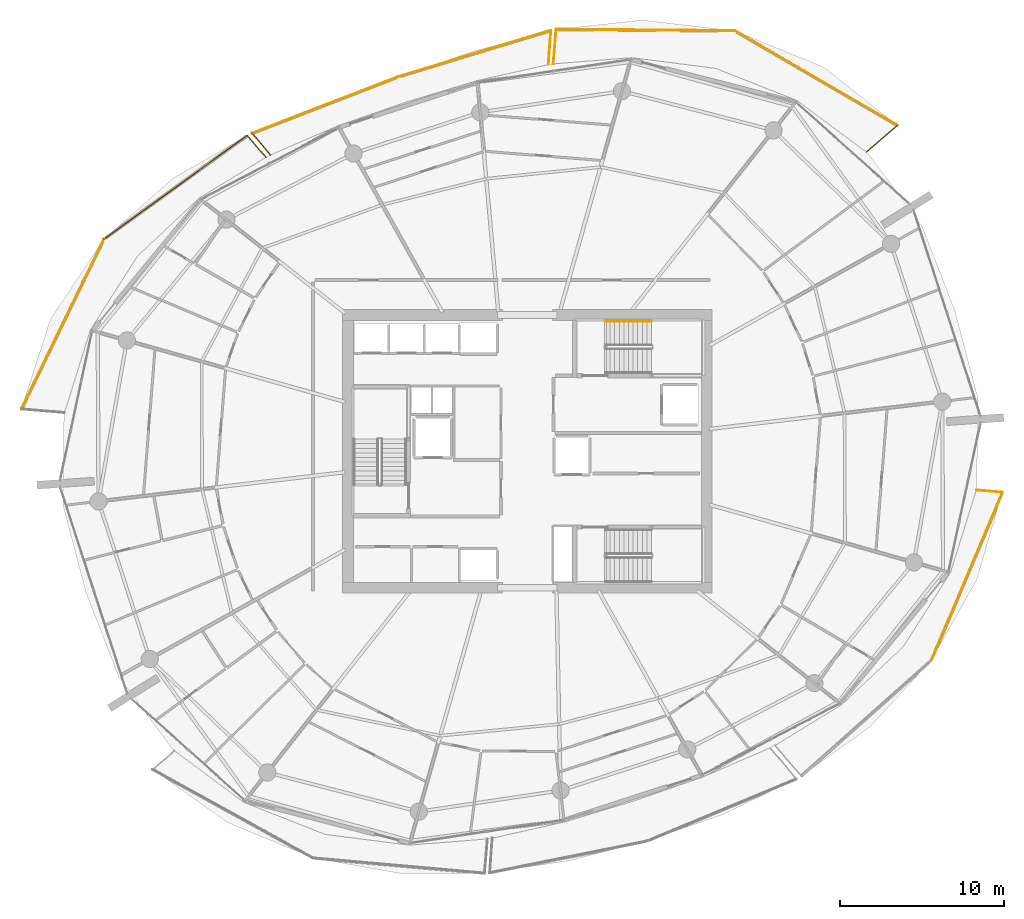
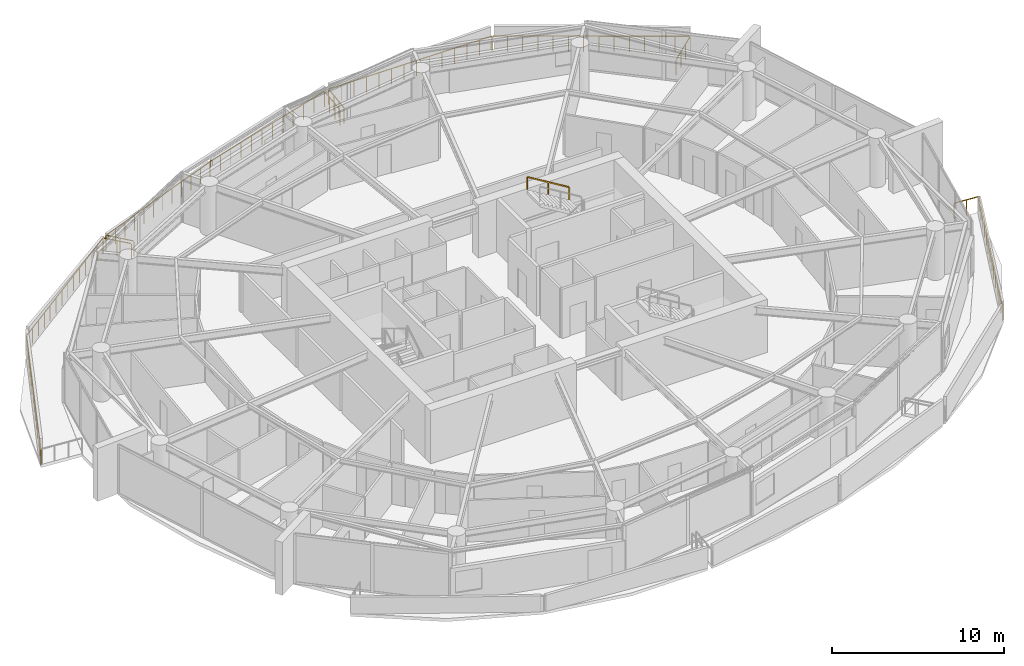
# One storey, part 21 of 21: 14 railings.
"""IFC4 building model written with IfcOpenShell, lengths in metres."""

import ifcopenshell
import ifcopenshell.guid

model = None  # the IFC model being written
_history = None  # IfcOwnerHistory: only IFC2X3 demands one
_inside = {}  # id of a spatial element -> (the spatial element, [elements in it])
_under = {}  # id of a project, library or spatial element -> (it, [spatial elements below it])
_declared = {}  # id of a project -> (the project, [libraries it declares])
_typed = {}  # id of a type object -> (the type object, [elements of that type])
_made_of = {}  # id of a material, layer set ... -> (it, [elements and type objects made of it])


def new_model(schema):
    """Start an empty IFC model of exactly this schema.

    Asked for "IFC4X3", IfcOpenShell would pick the latest addendum, in which some entities
    have other attributes; the version numbers below select the first issue.
    IFC2X3 requires an IfcOwnerHistory on every rooted entity: one is made here for all.
    """
    global model, _history
    if schema == "IFC4X3":
        model = ifcopenshell.file(schema_version=(4, 3, 0, 0))
    else:
        model = ifcopenshell.file(schema=schema)
    _inside.clear()
    _under.clear()
    _declared.clear()
    _typed.clear()
    _made_of.clear()
    _history = None
    if model.schema == "IFC2X3":
        org = make("IfcOrganization", Name="unknown")
        user = make(
            "IfcPersonAndOrganization",
            ThePerson=make("IfcPerson", FamilyName="unknown"),
            TheOrganization=org,
        )
        app = make(
            "IfcApplication",
            ApplicationDeveloper=org,
            Version="unknown",
            ApplicationFullName="unknown",
            ApplicationIdentifier="unknown",
        )
        _history = make(
            "IfcOwnerHistory",
            OwningUser=user,
            OwningApplication=app,
            ChangeAction="ADDED",
            CreationDate=0,
        )
    return model


def make(cls, **values):
    """One entity of the class cls with the attributes given. An attribute that is None is left unset."""
    return model.create_entity(
        cls, **{name: value for name, value in values.items() if value is not None}
    )


def rooted(cls, **values):
    """An entity with a GlobalId (a new one), such as an element, a storey or a relation."""
    return make(cls, GlobalId=ifcopenshell.guid.new(), OwnerHistory=_history, **values)


def si_unit(unit_type, name, prefix=None):
    """IfcSIUnit, for example si_unit("LENGTHUNIT", "METRE", prefix="MILLI")."""
    return make("IfcSIUnit", UnitType=unit_type, Prefix=prefix, Name=name)


def assignment(units):
    """IfcUnitAssignment: the units of a project."""
    return None if units is None else make("IfcUnitAssignment", Units=units)


def point(xyz):
    """IfcCartesianPoint."""
    return None if xyz is None else make("IfcCartesianPoint", Coordinates=xyz)


def direction(xyz):
    """IfcDirection."""
    return None if xyz is None else make("IfcDirection", DirectionRatios=xyz)


def frame(location, z_axis=None, x_axis=None):
    """IfcAxis2Placement3D, a coordinate frame: its origin and axes. An axis left out is left unset."""
    return make(
        "IfcAxis2Placement3D",
        Location=point(location),
        Axis=direction(z_axis),
        RefDirection=direction(x_axis),
    )


def frame_2d(location, x_axis=None):
    """IfcAxis2Placement2D, a coordinate frame in the plane: its origin and x axis."""
    return make(
        "IfcAxis2Placement2D", Location=point(location), RefDirection=direction(x_axis)
    )


def origin():
    """The frame at (0, 0, 0) with its axes left unset."""
    return frame((0.0, 0.0, 0.0))


def origin_2d():
    """The frame at (0, 0) in the plane with its x axis left unset."""
    return frame_2d((0.0, 0.0))


def place(relative_to, where):
    """IfcLocalPlacement: puts the frame where relative to a parent placement (None: the world)."""
    return make(
        "IfcLocalPlacement", PlacementRelTo=relative_to, RelativePlacement=where
    )


def context(
    kind, dimensions, precision=None, world=None, true_north=None, identifier=None
):
    """IfcGeometricRepresentationContext, for example the 3D "Model" context."""
    return make(
        "IfcGeometricRepresentationContext",
        ContextIdentifier=identifier,
        ContextType=kind,
        CoordinateSpaceDimension=dimensions,
        Precision=precision,
        WorldCoordinateSystem=world,
        TrueNorth=true_north,
    )


def subcontext(parent, identifier, kind, view, scale=None):
    """IfcGeometricRepresentationSubContext, for example "Body" below "Model"."""
    return make(
        "IfcGeometricRepresentationSubContext",
        ContextIdentifier=identifier,
        ContextType=kind,
        ParentContext=parent,
        TargetScale=scale,
        TargetView=view,
    )


def project(units=None, contexts=None):
    """IfcProject with its units and contexts."""
    return rooted(
        "IfcProject",
        Name="project",
        RepresentationContexts=contexts,
        UnitsInContext=assignment(units),
    )


def spatial(cls, under=None, at=None, **own):
    """A site, building, storey or space (cls), placed at a placement, below another one or the project."""
    s = rooted(cls, ObjectPlacement=at, **own)
    if under is not None:
        _under.setdefault(under.id(), (under, []))[1].append(s)
    return s


def profile(cls, at=None, kind="AREA", **sizes):
    """A parametric profile (cls). Its sizes go by their IFC names, for example OverallWidth=200.0."""
    return make(cls, ProfileType=kind, Position=at, **sizes)


def rectangle(**sizes):
    """IfcRectangleProfileDef."""
    return profile("IfcRectangleProfileDef", **sizes)


def extrude(swept, where, along, depth):
    """IfcExtrudedAreaSolid: the profile swept, set in the frame where, extruded along a direction by depth."""
    return make(
        "IfcExtrudedAreaSolid",
        SweptArea=swept,
        Position=where,
        ExtrudedDirection=direction(along),
        Depth=depth,
    )


def shape(context_of_items, identifier, shape_type, items):
    """IfcShapeRepresentation: the items that make up one representation, for example the "Body"."""
    return make(
        "IfcShapeRepresentation",
        ContextOfItems=context_of_items,
        RepresentationIdentifier=identifier,
        RepresentationType=shape_type,
        Items=items,
    )


def material(Name=None, Category=None):
    """IfcMaterial."""
    return make("IfcMaterial", Name=Name, Category=Category)


def made_of(thing, what):
    """Note that an element or type object is made of a material, layer set ...; save() writes the relation."""
    if what is not None:
        _made_of.setdefault(what.id(), (what, []))[1].append(thing)
    return thing


def type_object(cls, material=None, **own):
    """A type object (cls), such as IfcWallType, which elements share."""
    return made_of(rooted(cls, **own), material)


def element(
    cls,
    number,
    at=None,
    inside=None,
    cuts=None,
    type_object=None,
    material=None,
    context=None,
    identifier="Body",
    shape_type=None,
    held_by="IfcProductDefinitionShape",
    body=None,
    shapes=None,
    **own,
):
    """One element of the class cls, such as IfcWall. Its Tag is "e" and its number.

    at: its placement. inside: the storey or other place that contains it. cuts: it is an
    opening in that element (IfcRelVoidsElement). A single representation is given by context,
    identifier, shape_type and body (its items); several are given by shapes. held_by: the class
    of the entity that holds the representations. save() writes the other relations.
    """
    e = rooted(cls, Tag="e%d" % number, ObjectPlacement=at, **own)
    if body is not None:
        shapes = [shape(context, identifier, shape_type, body)]
    if shapes is not None:
        e.Representation = make(held_by, Representations=shapes)
    if inside is not None:
        _inside.setdefault(inside.id(), (inside, []))[1].append(e)
    if cuts is not None:
        rooted(
            "IfcRelVoidsElement", RelatingBuildingElement=cuts, RelatedOpeningElement=e
        )
    if type_object is not None:
        _typed.setdefault(type_object.id(), (type_object, []))[1].append(e)
    return made_of(e, material)


def aggregate(whole, parts):
    """IfcRelAggregates: a whole, such as a stair, and the parts it consists of."""
    return rooted("IfcRelAggregates", RelatingObject=whole, RelatedObjects=parts)


def save(model, path):
    """Write the relations noted so far, then the file.

    IfcRelAggregates (storeys below a building ...), IfcRelContainedInSpatialStructure (elements
    in a storey), IfcRelDefinesByType, IfcRelAssociatesMaterial and IfcRelDeclares: one each for
    every whole, place, type object, material and project.
    """
    for whole, parts in _under.values():
        aggregate(whole, parts)
    for where, things in _inside.values():
        rooted(
            "IfcRelContainedInSpatialStructure",
            RelatedElements=things,
            RelatingStructure=where,
        )
    for kind, things in _typed.values():
        rooted("IfcRelDefinesByType", RelatedObjects=things, RelatingType=kind)
    for what, things in _made_of.values():
        rooted("IfcRelAssociatesMaterial", RelatedObjects=things, RelatingMaterial=what)
    for by, libraries in _declared.values():
        rooted("IfcRelDeclares", RelatingContext=by, RelatedDefinitions=libraries)
    model.write(path)


model = new_model("IFC4")

# Units and contexts
model_context = context("Model", 3, precision=1e-05, world=origin(), true_north=direction((0.0, 1.0)))
body_context = subcontext(model_context, "Body", "Model", "MODEL_VIEW")
ifc_project = project(units=[si_unit("LENGTHUNIT", "METRE"), si_unit("AREAUNIT", "SQUARE_METRE"), si_unit("VOLUMEUNIT", "CUBIC_METRE"), si_unit("PLANEANGLEUNIT", "RADIAN"), si_unit("MASSUNIT", "GRAM", prefix="KILO")], contexts=[model_context])

# Site, building, storey
site_placement = place(None, origin())
site = spatial("IfcSite", under=ifc_project, at=site_placement, CompositionType="ELEMENT")
building_placement = place(site_placement, origin())
building = spatial("IfcBuilding", under=site, at=building_placement, Name="Kazma Halo Residences", CompositionType="ELEMENT")
storey_placement = place(building_placement, frame((0.0, 0.0, 195.300048828125)))
storey = spatial("IfcBuildingStorey", under=building, at=storey_placement, Name="L49", CompositionType="ELEMENT", Elevation=195.300048828125)

# Railings
ifc_material_1 = material(Name="Aluminium AW-6063 T6 Brushed Cap Rail", Category="aluminium")
railing_type_1 = type_object("IfcRailingType", Name="RLG-BAL-CAP-1120", PredefinedType="BALUSTRADE", material=ifc_material_1)
railing_1_placement = place(storey_placement, frame((69.130126953125, 60.271240234375, 0.0)))
element("IfcRailing", 1, at=railing_1_placement, inside=storey, type_object=railing_type_1, Name="L49 NE wave balcony guard 1", PredefinedType="BALUSTRADE", context=body_context, shape_type="SweptSolid", body=[
    extrude(rectangle(XDim=0.050048828125, YDim=0.050048828125, at=origin_2d()), frame((0.0322265625, 0.02783203125, 1.09521484375), z_axis=(0.756415545654, 0.654091371517, 0.0), x_axis=(-0.654091371517, 0.756415545654, 0.0)), (0.0, 0.0, 1.0), 2.408203125),
    extrude(rectangle(XDim=0.0400390625, YDim=0.0400390625, at=origin_2d()), origin(), (0.0, 0.0, 1.0), 1.05810546875),
    extrude(rectangle(XDim=0.0400390625, YDim=0.0400390625, at=origin_2d()), frame((0.628662109375, 0.543701171875, 0.0)), (0.0, 0.0, 1.0), 1.05810546875),
    extrude(rectangle(XDim=0.0400390625, YDim=0.0400390625, at=origin_2d()), frame((1.25732421875, 1.087158203125, 0.0)), (0.0, 0.0, 1.0), 1.05810546875),
    extrude(rectangle(XDim=0.0400390625, YDim=0.0400390625, at=origin_2d()), frame((1.885986328125, 1.630859375, 0.0)), (0.0, 0.0, 1.0), 1.05810546875),
])
railing_2_placement = place(storey_placement, frame((71.01611328125, 61.902099609375, 0.0)))
element("IfcRailing", 2, at=railing_2_placement, inside=storey, type_object=railing_type_1, Name="L49 NE wave balcony guard 2", PredefinedType="BALUSTRADE", context=body_context, shape_type="SweptSolid", body=[
    extrude(rectangle(XDim=0.050048828125, YDim=0.050048828125, at=origin_2d()), frame((-0.036865234375, 0.021484375, 1.09521484375), z_axis=(-0.864394010478, 0.502815070031, 0.0), x_axis=(-0.502815070031, -0.864394010478, 0.0)), (0.0, 0.0, 1.0), 11.405029296875),
    extrude(rectangle(XDim=0.0400390625, YDim=0.0400390625, at=origin_2d()), origin(), (0.0, 0.0, 1.0), 1.05810546875),
    extrude(rectangle(XDim=0.0400390625, YDim=0.0400390625, at=origin_2d()), frame((-0.763916015625, 0.4443359375, 0.0)), (0.0, 0.0, 1.0), 1.05810546875),
    extrude(rectangle(XDim=0.0400390625, YDim=0.0400390625, at=origin_2d()), frame((-1.528076171875, 0.888916015625, 0.0)), (0.0, 0.0, 1.0), 1.05810546875),
    extrude(rectangle(XDim=0.0400390625, YDim=0.0400390625, at=origin_2d()), frame((-2.2919921875, 1.333251953125, 0.0)), (0.0, 0.0, 1.0), 1.05810546875),
    extrude(rectangle(XDim=0.0400390625, YDim=0.0400390625, at=origin_2d()), frame((-3.055908203125, 1.777587890625, 0.0)), (0.0, 0.0, 1.0), 1.05810546875),
    extrude(rectangle(XDim=0.0400390625, YDim=0.0400390625, at=origin_2d()), frame((-3.820068359375, 2.22216796875, 0.0)), (0.0, 0.0, 1.0), 1.05810546875),
    extrude(rectangle(XDim=0.0400390625, YDim=0.0400390625, at=origin_2d()), frame((-4.583984375, 2.66650390625, 0.0)), (0.0, 0.0, 1.0), 1.05810546875),
    extrude(rectangle(XDim=0.0400390625, YDim=0.0400390625, at=origin_2d()), frame((-5.347900390625, 3.11083984375, 0.0)), (0.0, 0.0, 1.0), 1.05810546875),
    extrude(rectangle(XDim=0.0400390625, YDim=0.0400390625, at=origin_2d()), frame((-6.11181640625, 3.55517578125, 0.0)), (0.0, 0.0, 1.0), 1.05810546875),
    extrude(rectangle(XDim=0.0400390625, YDim=0.0400390625, at=origin_2d()), frame((-6.8759765625, 3.999755859375, 0.0)), (0.0, 0.0, 1.0), 1.05810546875),
    extrude(rectangle(XDim=0.0400390625, YDim=0.0400390625, at=origin_2d()), frame((-7.639892578125, 4.444091796875, 0.0)), (0.0, 0.0, 1.0), 1.05810546875),
    extrude(rectangle(XDim=0.0400390625, YDim=0.0400390625, at=origin_2d()), frame((-8.40380859375, 4.888427734375, 0.0)), (0.0, 0.0, 1.0), 1.05810546875),
    extrude(rectangle(XDim=0.0400390625, YDim=0.0400390625, at=origin_2d()), frame((-9.16796875, 5.3330078125, 0.0)), (0.0, 0.0, 1.0), 1.05810546875),
    extrude(rectangle(XDim=0.0400390625, YDim=0.0400390625, at=origin_2d()), frame((-9.931884765625, 5.77734375, 0.0)), (0.0, 0.0, 1.0), 1.05810546875),
])
railing_3_placement = place(storey_placement, frame((61.084228515625, 67.679443359375, 0.0)))
element("IfcRailing", 3, at=railing_3_placement, inside=storey, type_object=railing_type_1, Name="L49 NE wave balcony guard 3", PredefinedType="BALUSTRADE", context=body_context, shape_type="SweptSolid", body=[
    extrude(rectangle(XDim=0.050048828125, YDim=0.050048828125, at=origin_2d()), frame((-0.04248046875, 0.000244140625, 1.09521484375), z_axis=(-0.999967660867, 0.008042214935, 0.0), x_axis=(-0.008042214935, -0.999967660867, 0.0)), (0.0, 0.0, 1.0), 10.813232421875),
    extrude(rectangle(XDim=0.0400390625, YDim=0.0400390625, at=origin_2d()), origin(), (0.0, 0.0, 1.0), 1.05810546875),
    extrude(rectangle(XDim=0.0400390625, YDim=0.0400390625, at=origin_2d()), frame((-0.83837890625, 0.0068359375, 0.0)), (0.0, 0.0, 1.0), 1.05810546875),
    extrude(rectangle(XDim=0.0400390625, YDim=0.0400390625, at=origin_2d()), frame((-1.676513671875, 0.013427734375, 0.0)), (0.0, 0.0, 1.0), 1.05810546875),
    extrude(rectangle(XDim=0.0400390625, YDim=0.0400390625, at=origin_2d()), frame((-2.514892578125, 0.020263671875, 0.0)), (0.0, 0.0, 1.0), 1.05810546875),
    extrude(rectangle(XDim=0.0400390625, YDim=0.0400390625, at=origin_2d()), frame((-3.353271484375, 0.02685546875, 0.0)), (0.0, 0.0, 1.0), 1.05810546875),
    extrude(rectangle(XDim=0.0400390625, YDim=0.0400390625, at=origin_2d()), frame((-4.19140625, 0.03369140625, 0.0)), (0.0, 0.0, 1.0), 1.05810546875),
    extrude(rectangle(XDim=0.0400390625, YDim=0.0400390625, at=origin_2d()), frame((-5.02978515625, 0.04052734375, 0.0)), (0.0, 0.0, 1.0), 1.05810546875),
    extrude(rectangle(XDim=0.0400390625, YDim=0.0400390625, at=origin_2d()), frame((-5.8681640625, 0.047119140625, 0.0)), (0.0, 0.0, 1.0), 1.05810546875),
    extrude(rectangle(XDim=0.0400390625, YDim=0.0400390625, at=origin_2d()), frame((-6.70654296875, 0.053955078125, 0.0)), (0.0, 0.0, 1.0), 1.05810546875),
    extrude(rectangle(XDim=0.0400390625, YDim=0.0400390625, at=origin_2d()), frame((-7.544677734375, 0.060791015625, 0.0)), (0.0, 0.0, 1.0), 1.05810546875),
    extrude(rectangle(XDim=0.0400390625, YDim=0.0400390625, at=origin_2d()), frame((-8.383056640625, 0.0673828125, 0.0)), (0.0, 0.0, 1.0), 1.05810546875),
    extrude(rectangle(XDim=0.0400390625, YDim=0.0400390625, at=origin_2d()), frame((-9.221435546875, 0.07421875, 0.0)), (0.0, 0.0, 1.0), 1.05810546875),
    extrude(rectangle(XDim=0.0400390625, YDim=0.0400390625, at=origin_2d()), frame((-10.0595703125, 0.080810546875, 0.0)), (0.0, 0.0, 1.0), 1.05810546875),
    extrude(rectangle(XDim=0.0400390625, YDim=0.0400390625, at=origin_2d()), frame((-10.89794921875, 0.087646484375, 0.0)), (0.0, 0.0, 1.0), 1.05810546875),
])
railing_4_placement = place(storey_placement, frame((50.186279296875, 67.76708984375, 0.0)))
element("IfcRailing", 4, at=railing_4_placement, inside=storey, type_object=railing_type_1, Name="L49 NE wave balcony guard 4", PredefinedType="BALUSTRADE", context=body_context, shape_type="SweptSolid", body=[
    extrude(rectangle(XDim=0.050048828125, YDim=0.050048828125, at=origin_2d()), frame((-0.003662109375, -0.04248046875, 1.09521484375), z_axis=(-0.084580756862, -0.996416627505, 0.0), x_axis=(0.996416627505, -0.084580756862, 0.0)), (0.0, 0.0, 1.0), 2.03369140625),
    extrude(rectangle(XDim=0.0400390625, YDim=0.0400390625, at=origin_2d()), origin(), (0.0, 0.0, 1.0), 1.05810546875),
    extrude(rectangle(XDim=0.0400390625, YDim=0.0400390625, at=origin_2d()), frame((-0.059814453125, -0.70361328125, 0.0)), (0.0, 0.0, 1.0), 1.05810546875),
    extrude(rectangle(XDim=0.0400390625, YDim=0.0400390625, at=origin_2d()), frame((-0.119384765625, -1.407470703125, 0.0)), (0.0, 0.0, 1.0), 1.05810546875),
    extrude(rectangle(XDim=0.0400390625, YDim=0.0400390625, at=origin_2d()), frame((-0.17919921875, -2.111083984375, 0.0)), (0.0, 0.0, 1.0), 1.05810546875),
])
railing_5_placement = place(storey_placement, frame((49.713134765625, 65.612060546875, 0.0)))
element("IfcRailing", 5, at=railing_5_placement, inside=storey, type_object=railing_type_1, Name="L49 NNW wave balcony guard 1", PredefinedType="BALUSTRADE", context=body_context, shape_type="SweptSolid", body=[
    extrude(rectangle(XDim=0.050048828125, YDim=0.050048828125, at=origin_2d()), frame((0.003173828125, 0.04248046875, 1.09521484375), z_axis=(0.072480899171, 0.997369800653, 0.0), x_axis=(-0.997369800653, 0.072480899171, 0.0)), (0.0, 0.0, 1.0), 2.010009765625),
    extrude(rectangle(XDim=0.0400390625, YDim=0.0400390625, at=origin_2d()), origin(), (0.0, 0.0, 1.0), 1.05810546875),
    extrude(rectangle(XDim=0.0400390625, YDim=0.0400390625, at=origin_2d()), frame((0.050537109375, 0.696533203125, 0.0)), (0.0, 0.0, 1.0), 1.05810546875),
    extrude(rectangle(XDim=0.0400390625, YDim=0.0400390625, at=origin_2d()), frame((0.101318359375, 1.39306640625, 0.0)), (0.0, 0.0, 1.0), 1.05810546875),
    extrude(rectangle(XDim=0.0400390625, YDim=0.0400390625, at=origin_2d()), frame((0.15185546875, 2.089599609375, 0.0)), (0.0, 0.0, 1.0), 1.05810546875),
])
railing_6_placement = place(storey_placement, frame((49.864990234375, 67.70166015625, 0.0)))
element("IfcRailing", 6, at=railing_6_placement, inside=storey, type_object=railing_type_1, Name="L49 NNW wave balcony guard 2", PredefinedType="BALUSTRADE", context=body_context, shape_type="SweptSolid", body=[
    extrude(rectangle(XDim=0.050048828125, YDim=0.050048828125, at=origin_2d()), frame((-0.040771484375, -0.012451171875, 1.09521484375), z_axis=(-0.956821324416, -0.290676715859, 0.0), x_axis=(0.290676715859, -0.956821324416, 0.0)), (0.0, 0.0, 1.0), 9.632568359375),
    extrude(rectangle(XDim=0.0400390625, YDim=0.0400390625, at=origin_2d()), origin(), (0.0, 0.0, 1.0), 1.05810546875),
    extrude(rectangle(XDim=0.0400390625, YDim=0.0400390625, at=origin_2d()), frame((-0.84521484375, -0.2568359375, 0.0)), (0.0, 0.0, 1.0), 1.05810546875),
    extrude(rectangle(XDim=0.0400390625, YDim=0.0400390625, at=origin_2d()), frame((-1.690673828125, -0.513671875, 0.0)), (0.0, 0.0, 1.0), 1.05810546875),
    extrude(rectangle(XDim=0.0400390625, YDim=0.0400390625, at=origin_2d()), frame((-2.535888671875, -0.770263671875, 0.0)), (0.0, 0.0, 1.0), 1.05810546875),
    extrude(rectangle(XDim=0.0400390625, YDim=0.0400390625, at=origin_2d()), frame((-3.381103515625, -1.027099609375, 0.0)), (0.0, 0.0, 1.0), 1.05810546875),
    extrude(rectangle(XDim=0.0400390625, YDim=0.0400390625, at=origin_2d()), frame((-4.226318359375, -1.283935546875, 0.0)), (0.0, 0.0, 1.0), 1.05810546875),
    extrude(rectangle(XDim=0.0400390625, YDim=0.0400390625, at=origin_2d()), frame((-5.07177734375, -1.540771484375, 0.0)), (0.0, 0.0, 1.0), 1.05810546875),
    extrude(rectangle(XDim=0.0400390625, YDim=0.0400390625, at=origin_2d()), frame((-5.9169921875, -1.797607421875, 0.0)), (0.0, 0.0, 1.0), 1.05810546875),
    extrude(rectangle(XDim=0.0400390625, YDim=0.0400390625, at=origin_2d()), frame((-6.76220703125, -2.054443359375, 0.0)), (0.0, 0.0, 1.0), 1.05810546875),
    extrude(rectangle(XDim=0.0400390625, YDim=0.0400390625, at=origin_2d()), frame((-7.607421875, -2.31103515625, 0.0)), (0.0, 0.0, 1.0), 1.05810546875),
    extrude(rectangle(XDim=0.0400390625, YDim=0.0400390625, at=origin_2d()), frame((-8.452880859375, -2.56787109375, 0.0)), (0.0, 0.0, 1.0), 1.05810546875),
    extrude(rectangle(XDim=0.0400390625, YDim=0.0400390625, at=origin_2d()), frame((-9.298095703125, -2.82470703125, 0.0)), (0.0, 0.0, 1.0), 1.05810546875),
])
railing_7_placement = place(storey_placement, frame((40.56689453125, 64.876953125, 0.0)))
element("IfcRailing", 7, at=railing_7_placement, inside=storey, type_object=railing_type_1, Name="L49 NNW wave balcony guard 3", PredefinedType="BALUSTRADE", context=body_context, shape_type="SweptSolid", body=[
    extrude(rectangle(XDim=0.050048828125, YDim=0.050048828125, at=origin_2d()), frame((-0.039794921875, -0.015380859375, 1.09521484375), z_axis=(-0.932736868059, -0.360557810849, 0.0), x_axis=(0.360557810849, -0.932736868059, 0.0)), (0.0, 0.0, 1.0), 9.507568359375),
    extrude(rectangle(XDim=0.0400390625, YDim=0.0400390625, at=origin_2d()), origin(), (0.0, 0.0, 1.0), 1.05810546875),
    extrude(rectangle(XDim=0.0400390625, YDim=0.0400390625, at=origin_2d()), frame((-0.8134765625, -0.314453125, 0.0)), (0.0, 0.0, 1.0), 1.05810546875),
    extrude(rectangle(XDim=0.0400390625, YDim=0.0400390625, at=origin_2d()), frame((-1.626708984375, -0.62890625, 0.0)), (0.0, 0.0, 1.0), 1.05810546875),
    extrude(rectangle(XDim=0.0400390625, YDim=0.0400390625, at=origin_2d()), frame((-2.440185546875, -0.943359375, 0.0)), (0.0, 0.0, 1.0), 1.05810546875),
    extrude(rectangle(XDim=0.0400390625, YDim=0.0400390625, at=origin_2d()), frame((-3.253662109375, -1.2578125, 0.0)), (0.0, 0.0, 1.0), 1.05810546875),
    extrude(rectangle(XDim=0.0400390625, YDim=0.0400390625, at=origin_2d()), frame((-4.067138671875, -1.572265625, 0.0)), (0.0, 0.0, 1.0), 1.05810546875),
    extrude(rectangle(XDim=0.0400390625, YDim=0.0400390625, at=origin_2d()), frame((-4.88037109375, -1.886474609375, 0.0)), (0.0, 0.0, 1.0), 1.05810546875),
    extrude(rectangle(XDim=0.0400390625, YDim=0.0400390625, at=origin_2d()), frame((-5.69384765625, -2.200927734375, 0.0)), (0.0, 0.0, 1.0), 1.05810546875),
    extrude(rectangle(XDim=0.0400390625, YDim=0.0400390625, at=origin_2d()), frame((-6.50732421875, -2.515380859375, 0.0)), (0.0, 0.0, 1.0), 1.05810546875),
    extrude(rectangle(XDim=0.0400390625, YDim=0.0400390625, at=origin_2d()), frame((-7.32080078125, -2.829833984375, 0.0)), (0.0, 0.0, 1.0), 1.05810546875),
    extrude(rectangle(XDim=0.0400390625, YDim=0.0400390625, at=origin_2d()), frame((-8.134033203125, -3.144287109375, 0.0)), (0.0, 0.0, 1.0), 1.05810546875),
    extrude(rectangle(XDim=0.0400390625, YDim=0.0400390625, at=origin_2d()), frame((-8.947509765625, -3.458740234375, 0.0)), (0.0, 0.0, 1.0), 1.05810546875),
])
railing_8_placement = place(storey_placement, frame((31.619384765625, 61.418212890625, 0.0)))
element("IfcRailing", 8, at=railing_8_placement, inside=storey, type_object=railing_type_1, Name="L49 NNW wave balcony guard 4", PredefinedType="BALUSTRADE", context=body_context, shape_type="SweptSolid", body=[
    extrude(rectangle(XDim=0.050048828125, YDim=0.050048828125, at=origin_2d()), frame((0.02734375, -0.032470703125, 1.09521484375), z_axis=(0.644752463014, -0.76439143208, 0.0), x_axis=(0.76439143208, 0.644752463014, 0.0)), (0.0, 0.0, 1.0), 1.645263671875),
    extrude(rectangle(XDim=0.0400390625, YDim=0.0400390625, at=origin_2d()), origin(), (0.0, 0.0, 1.0), 1.05810546875),
    extrude(rectangle(XDim=0.0400390625, YDim=0.0400390625, at=origin_2d()), frame((0.557861328125, -0.661376953125, 0.0)), (0.0, 0.0, 1.0), 1.05810546875),
    extrude(rectangle(XDim=0.0400390625, YDim=0.0400390625, at=origin_2d()), frame((1.11572265625, -1.32275390625, 0.0)), (0.0, 0.0, 1.0), 1.05810546875),
])
railing_9_placement = place(storey_placement, frame((32.471435546875, 59.958251953125, 0.0)))
element("IfcRailing", 9, at=railing_9_placement, inside=storey, type_object=railing_type_1, Name="L49 NW wave balcony guard 1", PredefinedType="BALUSTRADE", context=body_context, shape_type="SweptSolid", body=[
    extrude(rectangle(XDim=0.050048828125, YDim=0.050048828125, at=origin_2d()), frame((-0.02783203125, 0.0322265625, 1.09521484375), z_axis=(-0.654074202521, 0.756430391772, 0.0), x_axis=(-0.756430391772, -0.654074202521, 0.0)), (0.0, 0.0, 1.0), 1.663330078125),
    extrude(rectangle(XDim=0.0400390625, YDim=0.0400390625, at=origin_2d()), origin(), (0.0, 0.0, 1.0), 1.05810546875),
    extrude(rectangle(XDim=0.0400390625, YDim=0.0400390625, at=origin_2d()), frame((-0.57177734375, 0.6611328125, 0.0)), (0.0, 0.0, 1.0), 1.05810546875),
    extrude(rectangle(XDim=0.0400390625, YDim=0.0400390625, at=origin_2d()), frame((-1.1435546875, 1.322509765625, 0.0)), (0.0, 0.0, 1.0), 1.05810546875),
])
railing_10_placement = place(storey_placement, frame((31.327880859375, 61.28076171875, 0.0)))
element("IfcRailing", 10, at=railing_10_placement, inside=storey, type_object=railing_type_1, Name="L49 NW wave balcony guard 2", PredefinedType="BALUSTRADE", context=body_context, shape_type="SweptSolid", body=[
    extrude(rectangle(XDim=0.050048828125, YDim=0.050048828125, at=origin_2d()), frame((-0.034423828125, -0.02490234375, 1.09521484375), z_axis=(-0.810678632394, -0.585491379082, 0.0), x_axis=(0.585491379082, -0.810678632394, 0.0)), (0.0, 0.0, 1.0), 10.716552734375),
    extrude(rectangle(XDim=0.0400390625, YDim=0.0400390625, at=origin_2d()), origin(), (0.0, 0.0, 1.0), 1.05810546875),
    extrude(rectangle(XDim=0.0400390625, YDim=0.0400390625, at=origin_2d()), frame((-0.673583984375, -0.486572265625, 0.0)), (0.0, 0.0, 1.0), 1.05810546875),
    extrude(rectangle(XDim=0.0400390625, YDim=0.0400390625, at=origin_2d()), frame((-1.34716796875, -0.972900390625, 0.0)), (0.0, 0.0, 1.0), 1.05810546875),
    extrude(rectangle(XDim=0.0400390625, YDim=0.0400390625, at=origin_2d()), frame((-2.020751953125, -1.45947265625, 0.0)), (0.0, 0.0, 1.0), 1.05810546875),
    extrude(rectangle(XDim=0.0400390625, YDim=0.0400390625, at=origin_2d()), frame((-2.6943359375, -1.94580078125, 0.0)), (0.0, 0.0, 1.0), 1.05810546875),
    extrude(rectangle(XDim=0.0400390625, YDim=0.0400390625, at=origin_2d()), frame((-3.367919921875, -2.432373046875, 0.0)), (0.0, 0.0, 1.0), 1.05810546875),
    extrude(rectangle(XDim=0.0400390625, YDim=0.0400390625, at=origin_2d()), frame((-4.04150390625, -2.9189453125, 0.0)), (0.0, 0.0, 1.0), 1.05810546875),
    extrude(rectangle(XDim=0.0400390625, YDim=0.0400390625, at=origin_2d()), frame((-4.715087890625, -3.4052734375, 0.0)), (0.0, 0.0, 1.0), 1.05810546875),
    extrude(rectangle(XDim=0.0400390625, YDim=0.0400390625, at=origin_2d()), frame((-5.388671875, -3.891845703125, 0.0)), (0.0, 0.0, 1.0), 1.05810546875),
    extrude(rectangle(XDim=0.0400390625, YDim=0.0400390625, at=origin_2d()), frame((-6.062255859375, -4.37841796875, 0.0)), (0.0, 0.0, 1.0), 1.05810546875),
    extrude(rectangle(XDim=0.0400390625, YDim=0.0400390625, at=origin_2d()), frame((-6.73583984375, -4.86474609375, 0.0)), (0.0, 0.0, 1.0), 1.05810546875),
    extrude(rectangle(XDim=0.0400390625, YDim=0.0400390625, at=origin_2d()), frame((-7.409423828125, -5.351318359375, 0.0)), (0.0, 0.0, 1.0), 1.05810546875),
    extrude(rectangle(XDim=0.0400390625, YDim=0.0400390625, at=origin_2d()), frame((-8.0830078125, -5.837646484375, 0.0)), (0.0, 0.0, 1.0), 1.05810546875),
    extrude(rectangle(XDim=0.0400390625, YDim=0.0400390625, at=origin_2d()), frame((-8.756591796875, -6.32421875, 0.0)), (0.0, 0.0, 1.0), 1.05810546875),
])
railing_11_placement = place(storey_placement, frame((22.5712890625, 54.95654296875, 0.0)))
element("IfcRailing", 11, at=railing_11_placement, inside=storey, type_object=railing_type_1, Name="L49 NW wave balcony guard 3", PredefinedType="BALUSTRADE", context=body_context, shape_type="SweptSolid", body=[
    extrude(rectangle(XDim=0.050048828125, YDim=0.050048828125, at=origin_2d()), frame((-0.0185546875, -0.038330078125, 1.09521484375), z_axis=(-0.436713522419, -0.899600633246, 0.0), x_axis=(0.899600633246, -0.436713522419, 0.0)), (0.0, 0.0, 1.0), 11.444091796875),
    extrude(rectangle(XDim=0.0400390625, YDim=0.0400390625, at=origin_2d()), origin(), (0.0, 0.0, 1.0), 1.05810546875),
    extrude(rectangle(XDim=0.0400390625, YDim=0.0400390625, at=origin_2d()), frame((-0.38720703125, -0.7978515625, 0.0)), (0.0, 0.0, 1.0), 1.05810546875),
    extrude(rectangle(XDim=0.0400390625, YDim=0.0400390625, at=origin_2d()), frame((-0.774658203125, -1.595703125, 0.0)), (0.0, 0.0, 1.0), 1.05810546875),
    extrude(rectangle(XDim=0.0400390625, YDim=0.0400390625, at=origin_2d()), frame((-1.161865234375, -2.3935546875, 0.0)), (0.0, 0.0, 1.0), 1.05810546875),
    extrude(rectangle(XDim=0.0400390625, YDim=0.0400390625, at=origin_2d()), frame((-1.54931640625, -3.191162109375, 0.0)), (0.0, 0.0, 1.0), 1.05810546875),
    extrude(rectangle(XDim=0.0400390625, YDim=0.0400390625, at=origin_2d()), frame((-1.9365234375, -3.989013671875, 0.0)), (0.0, 0.0, 1.0), 1.05810546875),
    extrude(rectangle(XDim=0.0400390625, YDim=0.0400390625, at=origin_2d()), frame((-2.32373046875, -4.786865234375, 0.0)), (0.0, 0.0, 1.0), 1.05810546875),
    extrude(rectangle(XDim=0.0400390625, YDim=0.0400390625, at=origin_2d()), frame((-2.711181640625, -5.584716796875, 0.0)), (0.0, 0.0, 1.0), 1.05810546875),
    extrude(rectangle(XDim=0.0400390625, YDim=0.0400390625, at=origin_2d()), frame((-3.098388671875, -6.382568359375, 0.0)), (0.0, 0.0, 1.0), 1.05810546875),
    extrude(rectangle(XDim=0.0400390625, YDim=0.0400390625, at=origin_2d()), frame((-3.485595703125, -7.180419921875, 0.0)), (0.0, 0.0, 1.0), 1.05810546875),
    extrude(rectangle(XDim=0.0400390625, YDim=0.0400390625, at=origin_2d()), frame((-3.873046875, -7.97802734375, 0.0)), (0.0, 0.0, 1.0), 1.05810546875),
    extrude(rectangle(XDim=0.0400390625, YDim=0.0400390625, at=origin_2d()), frame((-4.26025390625, -8.77587890625, 0.0)), (0.0, 0.0, 1.0), 1.05810546875),
    extrude(rectangle(XDim=0.0400390625, YDim=0.0400390625, at=origin_2d()), frame((-4.647705078125, -9.57373046875, 0.0)), (0.0, 0.0, 1.0), 1.05810546875),
    extrude(rectangle(XDim=0.0400390625, YDim=0.0400390625, at=origin_2d()), frame((-5.034912109375, -10.37158203125, 0.0)), (0.0, 0.0, 1.0), 1.05810546875),
])
railing_12_placement = place(storey_placement, frame((73.073974609375, 29.22412109375, 0.0)))
element("IfcRailing", 12, at=railing_12_placement, inside=storey, type_object=railing_type_1, Name="L49 SE wave balcony guard 3", PredefinedType="BALUSTRADE", context=body_context, shape_type="SweptSolid", body=[
    extrude(rectangle(XDim=0.050048828125, YDim=0.050048828125, at=origin_2d()), frame((0.0166015625, 0.0390625, 1.09521484375), z_axis=(0.390003836939, 0.920813231428, 0.0), x_axis=(-0.920813231428, 0.390003836939, 0.0)), (0.0, 0.0, 1.0), 11.07763671875),
    extrude(rectangle(XDim=0.0400390625, YDim=0.0400390625, at=origin_2d()), origin(), (0.0, 0.0, 1.0), 1.05810546875),
    extrude(rectangle(XDim=0.0400390625, YDim=0.0400390625, at=origin_2d()), frame((0.3349609375, 0.790771484375, 0.0)), (0.0, 0.0, 1.0), 1.05810546875),
    extrude(rectangle(XDim=0.0400390625, YDim=0.0400390625, at=origin_2d()), frame((0.669677734375, 1.581298828125, 0.0)), (0.0, 0.0, 1.0), 1.05810546875),
    extrude(rectangle(XDim=0.0400390625, YDim=0.0400390625, at=origin_2d()), frame((1.004638671875, 2.3720703125, 0.0)), (0.0, 0.0, 1.0), 1.05810546875),
    extrude(rectangle(XDim=0.0400390625, YDim=0.0400390625, at=origin_2d()), frame((1.339599609375, 3.16259765625, 0.0)), (0.0, 0.0, 1.0), 1.05810546875),
    extrude(rectangle(XDim=0.0400390625, YDim=0.0400390625, at=origin_2d()), frame((1.67431640625, 3.953369140625, 0.0)), (0.0, 0.0, 1.0), 1.05810546875),
    extrude(rectangle(XDim=0.0400390625, YDim=0.0400390625, at=origin_2d()), frame((2.00927734375, 4.744140625, 0.0)), (0.0, 0.0, 1.0), 1.05810546875),
    extrude(rectangle(XDim=0.0400390625, YDim=0.0400390625, at=origin_2d()), frame((2.34423828125, 5.53466796875, 0.0)), (0.0, 0.0, 1.0), 1.05810546875),
    extrude(rectangle(XDim=0.0400390625, YDim=0.0400390625, at=origin_2d()), frame((2.67919921875, 6.325439453125, 0.0)), (0.0, 0.0, 1.0), 1.05810546875),
    extrude(rectangle(XDim=0.0400390625, YDim=0.0400390625, at=origin_2d()), frame((3.013916015625, 7.1162109375, 0.0)), (0.0, 0.0, 1.0), 1.05810546875),
    extrude(rectangle(XDim=0.0400390625, YDim=0.0400390625, at=origin_2d()), frame((3.348876953125, 7.90673828125, 0.0)), (0.0, 0.0, 1.0), 1.05810546875),
    extrude(rectangle(XDim=0.0400390625, YDim=0.0400390625, at=origin_2d()), frame((3.683837890625, 8.697509765625, 0.0)), (0.0, 0.0, 1.0), 1.05810546875),
    extrude(rectangle(XDim=0.0400390625, YDim=0.0400390625, at=origin_2d()), frame((4.0185546875, 9.488037109375, 0.0)), (0.0, 0.0, 1.0), 1.05810546875),
    extrude(rectangle(XDim=0.0400390625, YDim=0.0400390625, at=origin_2d()), frame((4.353515625, 10.27880859375, 0.0)), (0.0, 0.0, 1.0), 1.05810546875),
])
railing_13_placement = place(storey_placement, frame((77.427490234375, 39.5029296875, 0.0)))
element("IfcRailing", 13, at=railing_13_placement, inside=storey, type_object=railing_type_1, Name="L49 SE wave balcony guard 4", PredefinedType="BALUSTRADE", context=body_context, shape_type="SweptSolid", body=[
    extrude(rectangle(XDim=0.050048828125, YDim=0.050048828125, at=origin_2d()), frame((-0.04248046875, 0.003662109375, 1.09521484375), z_axis=(-0.996416100688, 0.084586962884, 0.0), x_axis=(-0.084586962884, -0.996416100688, 0.0)), (0.0, 0.0, 1.0), 1.513916015625),
    extrude(rectangle(XDim=0.0400390625, YDim=0.0400390625, at=origin_2d()), origin(), (0.0, 0.0, 1.0), 1.05810546875),
    extrude(rectangle(XDim=0.0400390625, YDim=0.0400390625, at=origin_2d()), frame((-0.796630859375, 0.067626953125, 0.0)), (0.0, 0.0, 1.0), 1.05810546875),
    extrude(rectangle(XDim=0.0400390625, YDim=0.0400390625, at=origin_2d()), frame((-1.59326171875, 0.13525390625, 0.0)), (0.0, 0.0, 1.0), 1.05810546875),
])
ifc_material_2 = material(Name="Brushed Stainless Steel", Category="steel")
railing_type_2 = type_object("IfcRailingType", Name="RLG-STAIR-HND-900", PredefinedType="HANDRAIL", material=ifc_material_2)
railing_14_placement = place(storey_placement, frame((56.0, 49.949951171875, 2.04541015625)))
element("IfcRailing", 14, at=railing_14_placement, inside=storey, type_object=railing_type_2, Name="L49 ST-02 stair handrail 2", PredefinedType="HANDRAIL", context=body_context, shape_type="SweptSolid", body=[
    extrude(rectangle(XDim=0.050048828125, YDim=0.050048828125, at=origin_2d()), frame((-0.036376953125, 0.0, 0.89697265625), z_axis=(-0.854169791009, 0.0, 0.51999420009), x_axis=(0.0, -1.0, 0.0)), (0.0, 0.0, 1.0), 3.193115234375),
    extrude(rectangle(XDim=0.0400390625, YDim=0.0400390625, at=origin_2d()), origin(), (0.0, 0.0, 1.0), 0.837890625),
    extrude(rectangle(XDim=0.0400390625, YDim=0.0400390625, at=origin_2d()), frame((-1.39990234375, 0.0, 0.852294921875)), (0.0, 0.0, 1.0), 0.837890625),
    extrude(rectangle(XDim=0.0400390625, YDim=0.0400390625, at=origin_2d()), frame((-2.800048828125, 0.0, 1.70458984375)), (0.0, 0.0, 1.0), 0.837890625),
])

save(model, "model.ifc")
